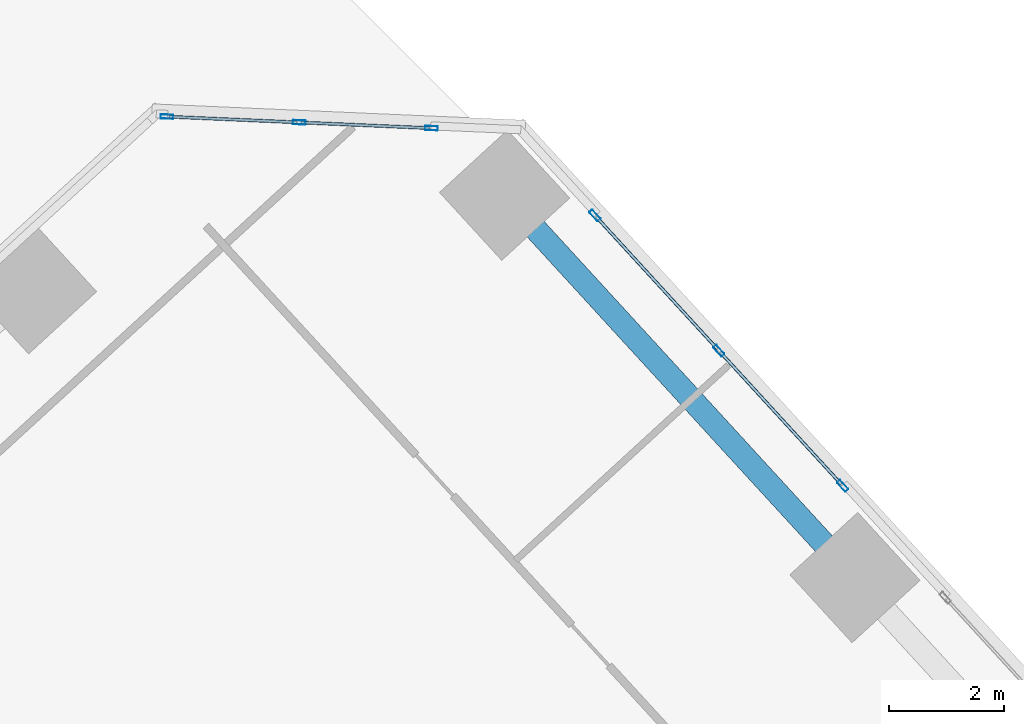
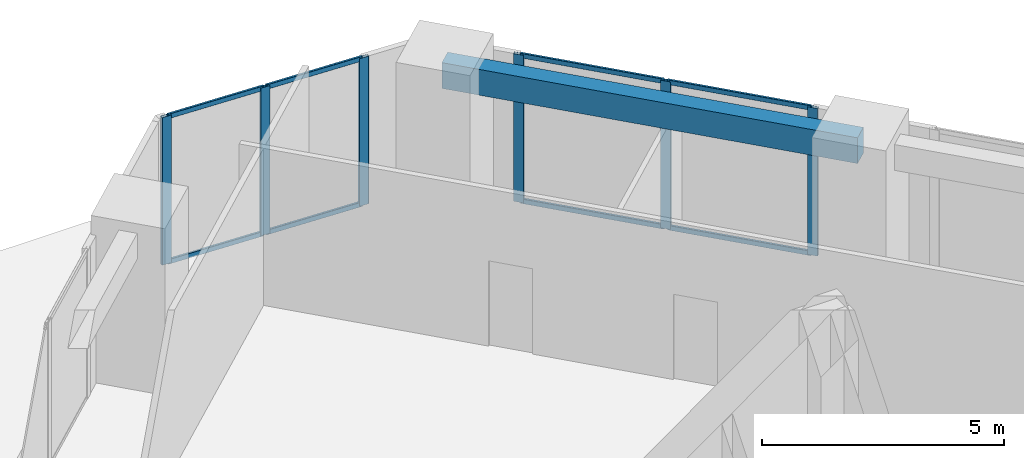
# One storey, part 9 of 17: 14 members, 1 beam, 2 elements without a shape of their own.
"""IFC4 building model written with IfcOpenShell, lengths in metres."""

from ifc_helpers import new_model, si_unit, direction, frame, origin, origin_2d, place, context, subcontext, project, spatial, rectangle, hollow_rectangle, extrude, source, transform, mapped, material, material_profile, profile_set, type_object, element, aggregate, save


model = new_model("IFC4")

# Units and contexts
model_context = context("Model", 3, precision=1e-05, world=origin(), true_north=direction((0.0, 1.0)))
body_context = subcontext(model_context, "Body", "Model", "MODEL_VIEW")
ifc_project = project(units=[si_unit("LENGTHUNIT", "METRE"), si_unit("AREAUNIT", "SQUARE_METRE"), si_unit("VOLUMEUNIT", "CUBIC_METRE"), si_unit("PLANEANGLEUNIT", "RADIAN"), si_unit("MASSUNIT", "GRAM", prefix="KILO")], contexts=[model_context])

# Site, building, storey
site_placement = place(None, origin())
site = spatial("IfcSite", under=ifc_project, at=site_placement, CompositionType="ELEMENT")
building_placement = place(site_placement, origin())
building = spatial("IfcBuilding", under=site, at=building_placement, Name="Torre Montelarca", CompositionType="ELEMENT")
storey_placement = place(building_placement, frame((0.0, 0.0, 254.199951171875)))
storey = spatial("IfcBuildingStorey", under=building, at=storey_placement, Name="L57", CompositionType="ELEMENT", Elevation=254.199951171875)

# Beam
ifc_material_1 = material(Name="Concrete C40/50", Category="concrete")
ifc_material_profile_1 = material_profile(ifc_material_1, rectangle(XDim=0.39990234375, YDim=0.64990234375, at=origin_2d()), Name="RCB400X650", Category="concrete")
ifc_profile_set_1 = profile_set([ifc_material_profile_1], Name="Concrete C40/50")
beam_type = type_object("IfcBeamType", Name="BM-SP-RC650-EXT", PredefinedType="SPANDREL", material=ifc_profile_set_1)
shared_shape_1 = source(origin(), body_context, "Body", "SweptSolid", [
    extrude(rectangle(XDim=0.39990234375, YDim=0.64990234375, at=origin_2d()), origin(), (0.0, 0.0, 1.0), 9.0),
])
beam_placement = place(storey_placement, frame((24.224853515625, 51.451171875, 3.635009765625), z_axis=(0.675590724023, -0.73727686361, 0.0), x_axis=(0.73727686361, 0.675590724023, 0.0)))
element("IfcBeam", 1, at=beam_placement, inside=storey, type_object=beam_type, Name="L57 Grid Girder X 9.0-18.0 at Y=47.1", PredefinedType="SPANDREL", context=body_context, shape_type="MappedRepresentation", body=[
    mapped(shared_shape_1, transform((0.0, 0.0, 0.0), scale=1.0)),
])

# Curtain wall, members
ifc_material_2 = material(Name="Insulated low-E laminated glass", Category="glass")
curtain_wall_type = type_object("IfcCurtainWallType", Name="CW-SYS-Z3", PredefinedType="USERDEFINED", material=ifc_material_2)
curtain_wall_1_placement = place(storey_placement, origin())
curtain_wall_1 = element("IfcCurtainWall", 2, at=curtain_wall_1_placement, inside=storey, type_object=curtain_wall_type, Name="L57 Curtain Wall Run CW-T3-L57-E08-B4", ObjectType="UNITISED GLAZING", PredefinedType="USERDEFINED")
ifc_material_3 = material(Name="Anodised aluminium AA 6063-T6", Category="aluminium")
ifc_material_profile_2 = material_profile(ifc_material_3, hollow_rectangle(XDim=0.074951171875, YDim=0.219970703125, WallThickness=0.0048828125, InnerFilletRadius=0.0048828125, OuterFilletRadius=0.010009765625, at=origin_2d()), Name="ALU75X220X5", Category="aluminium")
ifc_profile_set_2 = profile_set([ifc_material_profile_2], Name="Anodised aluminium AA 6063-T6")
member_type_1 = type_object("IfcMemberType", Name="CWM-ALU220", PredefinedType="MULLION", material=ifc_profile_set_2)
shared_shape_2 = source(origin(), body_context, "Body", "SweptSolid", [
    extrude(hollow_rectangle(XDim=0.074951171875, YDim=0.219970703125, WallThickness=0.0048828125, InnerFilletRadius=0.0048828125, OuterFilletRadius=0.010009765625, at=origin_2d()), origin(), (0.0, 0.0, 1.0), 3.719970703125),
])
member_1_placement = place(storey_placement, frame((30.09326171875, 46.408447265625, 0.0), z_axis=(0.0, 0.0, 1.0), x_axis=(-0.737279815472, -0.675587502621, 0.0)))
member_1 = element("IfcMember", 3, at=member_1_placement, type_object=member_type_1, Name="CW mullion 1", PredefinedType="MULLION", context=body_context, shape_type="MappedRepresentation", body=[
    mapped(shared_shape_2, transform((0.0, 0.0, 0.0), scale=1.0)),
])
member_2_placement = place(storey_placement, frame((27.943359375, 48.7548828125, 0.0), z_axis=(0.0, 0.0, 1.0), x_axis=(-0.737279815472, -0.675587502621, 0.0)))
member_2 = element("IfcMember", 4, at=member_2_placement, type_object=member_type_1, Name="CW mullion 2", PredefinedType="MULLION", context=body_context, shape_type="MappedRepresentation", body=[
    mapped(shared_shape_2, transform((0.0, 0.0, 0.0), scale=1.0)),
])
member_3_placement = place(storey_placement, frame((25.793212890625, 51.101318359375, 0.0), z_axis=(0.0, 0.0, 1.0), x_axis=(-0.737279815472, -0.675587502621, 0.0)))
member_3 = element("IfcMember", 5, at=member_3_placement, type_object=member_type_1, Name="CW mullion 3", PredefinedType="MULLION", context=body_context, shape_type="MappedRepresentation", body=[
    mapped(shared_shape_2, transform((0.0, 0.0, 0.0), scale=1.0)),
])

curtain_wall_2_placement = place(storey_placement, origin())
curtain_wall_2 = element("IfcCurtainWall", 6, at=curtain_wall_2_placement, inside=storey, type_object=curtain_wall_type, Name="L57 Curtain Wall Run CW-T3-L57-E09-B1", ObjectType="UNITISED GLAZING", PredefinedType="USERDEFINED")
member_4_placement = place(storey_placement, frame((22.95703125, 52.614990234375, 0.0), z_axis=(0.0, 0.0, 1.0), x_axis=(-0.043612828662, -0.999048507919, 0.0)))
member_4 = element("IfcMember", 7, at=member_4_placement, type_object=member_type_1, Name="CW mullion 1", PredefinedType="MULLION", context=body_context, shape_type="MappedRepresentation", body=[
    mapped(shared_shape_2, transform((0.0, 0.0, 0.0), scale=1.0)),
])
member_5_placement = place(storey_placement, frame((20.661376953125, 52.71533203125, 0.0), z_axis=(0.0, 0.0, 1.0), x_axis=(-0.043612828662, -0.999048507919, 0.0)))
member_5 = element("IfcMember", 8, at=member_5_placement, type_object=member_type_1, Name="CW mullion 2", PredefinedType="MULLION", context=body_context, shape_type="MappedRepresentation", body=[
    mapped(shared_shape_2, transform((0.0, 0.0, 0.0), scale=1.0)),
])
member_6_placement = place(storey_placement, frame((18.36572265625, 52.8154296875, 0.0), z_axis=(0.0, 0.0, 1.0), x_axis=(-0.043612828662, -0.999048507919, 0.0)))
member_6 = element("IfcMember", 9, at=member_6_placement, type_object=member_type_1, Name="CW mullion 3", PredefinedType="MULLION", context=body_context, shape_type="MappedRepresentation", body=[
    mapped(shared_shape_2, transform((0.0, 0.0, 0.0), scale=1.0)),
])

# Member
ifc_material_profile_3 = material_profile(ifc_material_3, hollow_rectangle(XDim=0.054931640625, YDim=0.1201171875, WallThickness=0.00341796875, InnerFilletRadius=0.00341796875, OuterFilletRadius=0.007080078125, at=origin_2d()), Name="ALU55X120X3.5", Category="aluminium")
ifc_profile_set_3 = profile_set([ifc_material_profile_3], Name="Anodised aluminium AA 6063-T6")
member_type_2 = type_object("IfcMemberType", Name="CWT-ALU120", PredefinedType="USERDEFINED", material=ifc_profile_set_3)
shared_shape_3 = source(origin(), body_context, "Body", "SweptSolid", [
    extrude(hollow_rectangle(XDim=0.054931640625, YDim=0.1201171875, WallThickness=0.00341796875, InnerFilletRadius=0.00341796875, OuterFilletRadius=0.007080078125, at=origin_2d()), origin(), (0.0, 0.0, 1.0), 3.107421875),
])
member_7_placement = place(storey_placement, frame((30.068115234375, 46.436279296875, 0.027587890625), z_axis=(-0.675596539491, 0.737271534665, 0.0), x_axis=(-0.737271534665, -0.675596539491, 0.0)))
member_7 = element("IfcMember", 10, at=member_7_placement, type_object=member_type_2, Name="CW transom 1.1", ObjectType="TRANSOM", PredefinedType="USERDEFINED", context=body_context, shape_type="MappedRepresentation", body=[
    mapped(shared_shape_3, transform((0.0, 0.0, 0.0), scale=1.0)),
])

member_8_placement = place(storey_placement, frame((30.068115234375, 46.436279296875, 3.692626953125), z_axis=(-0.675596539491, 0.737271534665, 0.0), x_axis=(-0.737271534665, -0.675596539491, 0.0)))
member_8 = element("IfcMember", 11, at=member_8_placement, type_object=member_type_2, Name="CW transom 1.2", ObjectType="TRANSOM", PredefinedType="USERDEFINED", context=body_context, shape_type="MappedRepresentation", body=[
    mapped(shared_shape_3, transform((0.0, 0.0, 0.0), scale=1.0)),
])

member_9_placement = place(storey_placement, frame((27.91796875, 48.78271484375, 0.027587890625), z_axis=(-0.675596539491, 0.737271534665, 0.0), x_axis=(-0.737271534665, -0.675596539491, 0.0)))
member_9 = element("IfcMember", 12, at=member_9_placement, type_object=member_type_2, Name="CW transom 2.1", ObjectType="TRANSOM", PredefinedType="USERDEFINED", context=body_context, shape_type="MappedRepresentation", body=[
    mapped(shared_shape_3, transform((0.0, 0.0, 0.0), scale=1.0)),
])

member_10_placement = place(storey_placement, frame((27.91796875, 48.78271484375, 3.692626953125), z_axis=(-0.675596539491, 0.737271534665, 0.0), x_axis=(-0.737271534665, -0.675596539491, 0.0)))
member_10 = element("IfcMember", 13, at=member_10_placement, type_object=member_type_2, Name="CW transom 2.2", ObjectType="TRANSOM", PredefinedType="USERDEFINED", context=body_context, shape_type="MappedRepresentation", body=[
    mapped(shared_shape_3, transform((0.0, 0.0, 0.0), scale=1.0)),
])

aggregate(curtain_wall_1, [member_1, member_2, member_3, member_7, member_8, member_9, member_10])

shared_shape_4 = source(origin(), body_context, "Body", "SweptSolid", [
    extrude(hollow_rectangle(XDim=0.054931640625, YDim=0.1201171875, WallThickness=0.00341796875, InnerFilletRadius=0.00341796875, OuterFilletRadius=0.007080078125, at=origin_2d()), origin(), (0.0, 0.0, 1.0), 2.222900390625),
])
member_11_placement = place(storey_placement, frame((22.91943359375, 52.61669921875, 0.027587890625), z_axis=(-0.999048891247, 0.043604046815, 0.0), x_axis=(-0.043604046815, -0.999048891247, 0.0)))
member_11 = element("IfcMember", 14, at=member_11_placement, type_object=member_type_2, Name="CW transom 1.1", ObjectType="TRANSOM", PredefinedType="USERDEFINED", context=body_context, shape_type="MappedRepresentation", body=[
    mapped(shared_shape_4, transform((0.0, 0.0, 0.0), scale=1.0)),
])

member_12_placement = place(storey_placement, frame((22.91943359375, 52.61669921875, 3.692626953125), z_axis=(-0.999048891247, 0.043604046815, 0.0), x_axis=(-0.043604046815, -0.999048891247, 0.0)))
member_12 = element("IfcMember", 15, at=member_12_placement, type_object=member_type_2, Name="CW transom 1.2", ObjectType="TRANSOM", PredefinedType="USERDEFINED", context=body_context, shape_type="MappedRepresentation", body=[
    mapped(shared_shape_4, transform((0.0, 0.0, 0.0), scale=1.0)),
])

member_13_placement = place(storey_placement, frame((20.623779296875, 52.716796875, 0.027587890625), z_axis=(-0.999048891247, 0.043604046815, 0.0), x_axis=(-0.043604046815, -0.999048891247, 0.0)))
member_13 = element("IfcMember", 16, at=member_13_placement, type_object=member_type_2, Name="CW transom 2.1", ObjectType="TRANSOM", PredefinedType="USERDEFINED", context=body_context, shape_type="MappedRepresentation", body=[
    mapped(shared_shape_4, transform((0.0, 0.0, 0.0), scale=1.0)),
])

member_14_placement = place(storey_placement, frame((20.623779296875, 52.716796875, 3.692626953125), z_axis=(-0.999048891247, 0.043604046815, 0.0), x_axis=(-0.043604046815, -0.999048891247, 0.0)))
member_14 = element("IfcMember", 17, at=member_14_placement, type_object=member_type_2, Name="CW transom 2.2", ObjectType="TRANSOM", PredefinedType="USERDEFINED", context=body_context, shape_type="MappedRepresentation", body=[
    mapped(shared_shape_4, transform((0.0, 0.0, 0.0), scale=1.0)),
])

aggregate(curtain_wall_2, [member_4, member_5, member_6, member_11, member_12, member_13, member_14])

save(model, "model.ifc")
